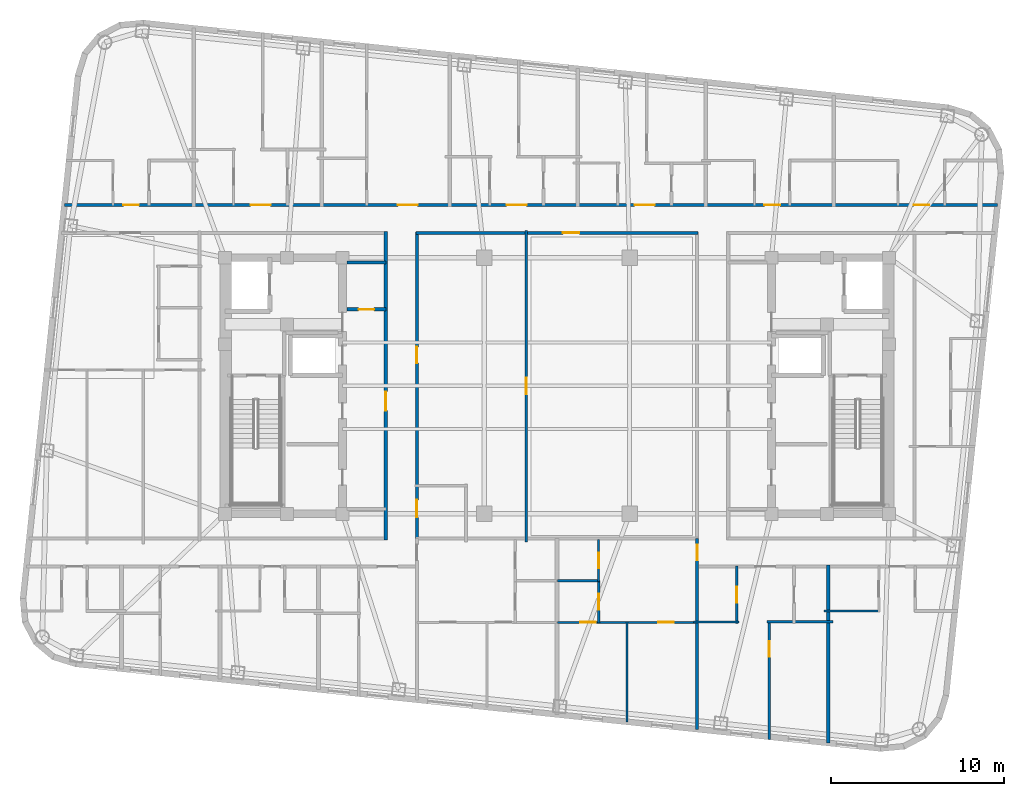
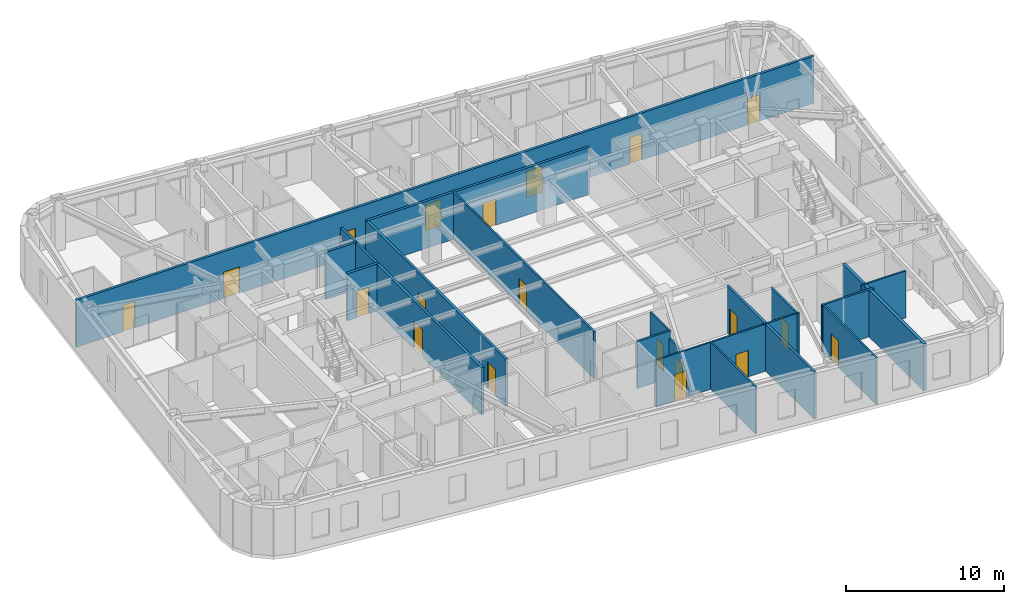
# One storey, part 5 of 11: 20 doors, 19 walls, 20 openings.
"""IFC4 building model written with IfcOpenShell, lengths in metres."""

from ifc_helpers import new_model, si_unit, direction, frame, frame_2d, origin, place, context, subcontext, project, spatial, rectangle, extrude, material, layer, layer_set, type_object, element, fill, save


model = new_model("IFC4")

# Units and contexts
model_context = context("Model", 3, precision=1e-05, world=origin(), true_north=direction((0.0, 1.0)))
body_context = subcontext(model_context, "Body", "Model", "MODEL_VIEW")
ifc_project = project(units=[si_unit("LENGTHUNIT", "METRE"), si_unit("AREAUNIT", "SQUARE_METRE"), si_unit("VOLUMEUNIT", "CUBIC_METRE"), si_unit("PLANEANGLEUNIT", "RADIAN"), si_unit("MASSUNIT", "GRAM", prefix="KILO")], contexts=[model_context])

# Site, building, storey
site_placement = place(None, origin())
site = spatial("IfcSite", under=ifc_project, at=site_placement, CompositionType="ELEMENT")
building_placement = place(site_placement, origin())
building = spatial("IfcBuilding", under=site, at=building_placement, Name="Voryun Gate Residences", CompositionType="ELEMENT")
storey_placement = place(building_placement, frame((0.0, 0.0, 302.89990234375)))
storey = spatial("IfcBuildingStorey", under=building, at=storey_placement, Name="L75", CompositionType="ELEMENT", Elevation=302.89990234375)

# Wall
ifc_material_1 = material(Name="Gypsum acoustic fireboard")
ifc_layer_1 = layer(ifc_material_1, 0.179931640625, Name="W_CORR_RATED_180")
ifc_layer_set_1 = layer_set([ifc_layer_1], Name="Gypsum acoustic fireboard")
wall_type_1 = type_object("IfcWallType", Name="W_CORR_RATED_180", PredefinedType="PARTITIONING", material=ifc_layer_set_1)
wall_1_placement = place(storey_placement, frame((-12.14990234375, 7.1201171875, 0.0), z_axis=(0.0, 0.0, 1.0), x_axis=(1.0, 0.0, 0.0)))
element("IfcWall", 1, at=wall_1_placement, inside=storey, type_object=wall_type_1, Name="Partition wall WP-L75-PLBN-W", PredefinedType="PARTITIONING", context=body_context, shape_type="SweptSolid", body=[
    extrude(rectangle(XDim=2.27001953125, YDim=0.179931640625, at=frame_2d((1.135009765625, 0.0))), origin(), (0.0, 0.0, 1.0), 3.635009765625),
])

# Wall, opening, door
wall_2_placement = place(storey_placement, frame((-9.89990234375, -8.929931640625, 0.0), z_axis=(0.0, 0.0, 1.0), x_axis=(0.0, 1.0, 0.0)))
wall_2 = element("IfcWall", 2, at=wall_2_placement, inside=storey, type_object=wall_type_1, Name="Partition wall WP-L75-PLBW-FULL", PredefinedType="PARTITIONING", context=body_context, shape_type="SweptSolid", body=[
    extrude(rectangle(XDim=17.85986328125, YDim=0.179931640625, at=frame_2d((8.929931640625, 0.0))), origin(), (0.0, 0.0, 1.0), 3.635009765625),
])
opening_1_placement = place(wall_2_placement, frame((7.487060546875, 0.0, 0.0)))
opening_1 = element("IfcOpeningElement", 3, at=opening_1_placement, cuts=wall_2, Name="Opening D-FD60-2", PredefinedType="OPENING", context=body_context, shape_type="SweptSolid", body=[
    extrude(rectangle(XDim=1.10009765625, YDim=2.050048828125, at=frame_2d((0.550048828125, 1.02490234375))), frame((0.0, 0.099853515625, 0.0), z_axis=(0.0, -1.0, 0.0), x_axis=(1.0, 0.0, 0.0)), (0.0, 0.0, 1.0), 0.199951171875),
])
ifc_material_2 = material(Name="Painted steel fire door", Category="steel")
door_type_1 = type_object("IfcDoorType", Name="DR_FD60_FFLOB_1100", OperationType="NOTDEFINED", PredefinedType="DOOR", material=ifc_material_2)
door_1_placement = place(opening_1_placement, origin())
door_1 = element("IfcDoor", 4, at=door_1_placement, inside=storey, type_object=door_type_1, Name="Door DR-L75-PLBW-COR", OperationType="SINGLE_SWING_LEFT", OverallHeight=2.050048828125, OverallWidth=1.10009765625, PredefinedType="DOOR", context=body_context, shape_type="SweptSolid", body=[
    extrude(rectangle(XDim=1.10009765625, YDim=2.050048828125, at=frame_2d((0.550048828125, 1.02490234375))), frame((0.0, 0.02490234375, 0.0), z_axis=(0.0, -1.0, 0.0), x_axis=(1.0, 0.0, 0.0)), (0.0, 0.0, 1.0), 0.050048828125),
])
fill(opening_1, door_1)

wall_3_placement = place(storey_placement, frame((-8.14990234375, 8.840087890625, 0.0), z_axis=(0.0, 0.0, 1.0), x_axis=(1.0, 0.0, 0.0)))
wall_3 = element("IfcWall", 5, at=wall_3_placement, inside=storey, type_object=wall_type_1, Name="Partition wall WP-L75-Z3N", PredefinedType="PARTITIONING", context=body_context, shape_type="SweptSolid", body=[
    extrude(rectangle(XDim=16.2998046875, YDim=0.179931640625, at=frame_2d((8.14990234375, 0.0))), origin(), (0.0, 0.0, 1.0), 3.635009765625),
])
opening_2_placement = place(wall_3_placement, frame((8.489990234375, 0.0, 0.0)))
opening_2 = element("IfcOpeningElement", 6, at=opening_2_placement, cuts=wall_3, Name="Opening D-INT-1", PredefinedType="OPENING", context=body_context, shape_type="SweptSolid", body=[
    extrude(rectangle(XDim=0.949951171875, YDim=2.050048828125, at=frame_2d((0.47509765625, 1.02490234375))), frame((0.0, 0.099853515625, 0.0), z_axis=(0.0, -1.0, 0.0), x_axis=(1.0, 0.0, 0.0)), (0.0, 0.0, 1.0), 0.199951171875),
])
ifc_material_3 = material(Name="Architectural oak veneer")
door_type_2 = type_object("IfcDoorType", Name="DR_INT_ROOM_950", OperationType="NOTDEFINED", PredefinedType="DOOR", material=ifc_material_3)
door_2_placement = place(opening_2_placement, origin())
door_2 = element("IfcDoor", 7, at=door_2_placement, inside=storey, type_object=door_type_2, Name="Door DR-L75-CMIDZ3N", OperationType="SINGLE_SWING_LEFT", OverallHeight=2.050048828125, OverallWidth=0.949951171875, PredefinedType="DOOR", context=body_context, shape_type="SweptSolid", body=[
    extrude(rectangle(XDim=0.949951171875, YDim=2.050048828125, at=frame_2d((0.47509765625, 1.02490234375))), frame((0.0, 0.02490234375, 0.0), z_axis=(0.0, -1.0, 0.0), x_axis=(1.0, 0.0, 0.0)), (0.0, 0.0, 1.0), 0.050048828125),
])
fill(opening_2, door_2)

# Wall, openings, doors
wall_4_placement = place(storey_placement, frame((-8.10009765625, -8.8798828125, 0.0), z_axis=(0.0, 0.0, 1.0), x_axis=(0.0, 1.0, 0.0)))
wall_4 = element("IfcWall", 8, at=wall_4_placement, inside=storey, type_object=wall_type_1, Name="Partition wall WP-L75-Z3W", PredefinedType="PARTITIONING", context=body_context, shape_type="SweptSolid", body=[
    extrude(rectangle(XDim=17.759765625, YDim=0.179931640625, at=frame_2d((8.8798828125, 0.0))), origin(), (0.0, 0.0, 1.0), 3.635009765625),
])
opening_3_placement = place(wall_4_placement, frame((1.27587890625, 0.0, 0.0)))
opening_3 = element("IfcOpeningElement", 9, at=opening_3_placement, cuts=wall_4, Name="Opening D-AWC-1", PredefinedType="OPENING", context=body_context, shape_type="SweptSolid", body=[
    extrude(rectangle(XDim=1.0, YDim=2.050048828125, at=frame_2d((0.5, 1.02490234375))), frame((0.0, 0.099853515625, 0.0), z_axis=(0.0, -1.0, 0.0), x_axis=(1.0, 0.0, 0.0)), (0.0, 0.0, 1.0), 0.199951171875),
])
opening_4_placement = place(wall_4_placement, frame((10.180908203125, 0.0, 0.0)))
opening_4 = element("IfcOpeningElement", 10, at=opening_4_placement, cuts=wall_4, Name="Opening D-INT-1", PredefinedType="OPENING", context=body_context, shape_type="SweptSolid", body=[
    extrude(rectangle(XDim=0.949951171875, YDim=2.050048828125, at=frame_2d((0.47509765625, 1.02490234375))), frame((0.0, 0.099853515625, 0.0), z_axis=(0.0, -1.0, 0.0), x_axis=(1.0, 0.0, 0.0)), (0.0, 0.0, 1.0), 0.199951171875),
])
ifc_material_4 = material(Name="Architectural oak veneer")
door_type_3 = type_object("IfcDoorType", Name="DR_ACC_WC_1000", OperationType="NOTDEFINED", PredefinedType="DOOR", material=ifc_material_4)
door_3_placement = place(opening_3_placement, origin())
door_3 = element("IfcDoor", 11, at=door_3_placement, inside=storey, type_object=door_type_3, Name="Door DR-L75-CMWC-D", OperationType="SINGLE_SWING_LEFT", OverallHeight=2.050048828125, OverallWidth=1.0, PredefinedType="DOOR", context=body_context, shape_type="SweptSolid", body=[
    extrude(rectangle(XDim=1.0, YDim=2.050048828125, at=frame_2d((0.5, 1.02490234375))), frame((0.0, 0.02490234375, 0.0), z_axis=(0.0, -1.0, 0.0), x_axis=(1.0, 0.0, 0.0)), (0.0, 0.0, 1.0), 0.050048828125),
])
fill(opening_3, door_3)
door_4_placement = place(opening_4_placement, origin())
door_4 = element("IfcDoor", 12, at=door_4_placement, inside=storey, type_object=door_type_2, Name="Door DR-L75-CMIDZ3W", OperationType="SINGLE_SWING_RIGHT", OverallHeight=2.050048828125, OverallWidth=0.949951171875, PredefinedType="DOOR", context=body_context, shape_type="SweptSolid", body=[
    extrude(rectangle(XDim=0.949951171875, YDim=2.050048828125, at=frame_2d((0.47509765625, 1.02490234375))), frame((0.0, 0.02490234375, 0.0), z_axis=(0.0, -1.0, 0.0), x_axis=(1.0, 0.0, 0.0)), (0.0, 0.0, 1.0), 0.050048828125),
])
fill(opening_4, door_4)

wall_5_placement = place(storey_placement, frame((-28.4794921875, 10.449951171875, 0.0), z_axis=(0.0, 0.0, 1.0), x_axis=(1.0, 0.0, 0.0)))
wall_5 = element("IfcWall", 13, at=wall_5_placement, inside=storey, type_object=wall_type_1, Name="Partition wall WP-L75-NCORR", PredefinedType="PARTITIONING", context=body_context, shape_type="SweptSolid", body=[
    extrude(rectangle(XDim=53.95556640625, YDim=0.179931640625, at=frame_2d((26.977783203125, 0.0))), origin(), (0.0, 0.0, 1.0), 3.635009765625),
])
opening_5_placement = place(wall_5_placement, frame((3.40771484375, 0.0, 0.0)))
opening_5 = element("IfcOpeningElement", 14, at=opening_5_placement, cuts=wall_5, Name="Opening D-INT-2", PredefinedType="OPENING", context=body_context, shape_type="SweptSolid", body=[
    extrude(rectangle(XDim=0.89990234375, YDim=2.050048828125, at=frame_2d((0.449951171875, 1.02490234375))), frame((0.0, 0.099853515625, 0.0), z_axis=(0.0, -1.0, 0.0), x_axis=(1.0, 0.0, 0.0)), (0.0, 0.0, 1.0), 0.199951171875),
])
opening_6_placement = place(wall_5_placement, frame((10.771728515625, 0.0, 0.0)))
opening_6 = element("IfcOpeningElement", 15, at=opening_6_placement, cuts=wall_5, Name="Opening D-UNIT-1", PredefinedType="OPENING", context=body_context, shape_type="SweptSolid", body=[
    extrude(rectangle(XDim=1.14990234375, YDim=2.050048828125, at=frame_2d((0.574951171875, 1.02490234375))), frame((0.0, 0.099853515625, 0.0), z_axis=(0.0, -1.0, 0.0), x_axis=(1.0, 0.0, 0.0)), (0.0, 0.0, 1.0), 0.199951171875),
])
opening_7_placement = place(wall_5_placement, frame((19.280517578125, 0.0, 0.0)))
opening_7 = element("IfcOpeningElement", 16, at=opening_7_placement, cuts=wall_5, Name="Opening D-UNIT-1", PredefinedType="OPENING", context=body_context, shape_type="SweptSolid", body=[
    extrude(rectangle(XDim=1.14990234375, YDim=2.050048828125, at=frame_2d((0.574951171875, 1.02490234375))), frame((0.0, 0.099853515625, 0.0), z_axis=(0.0, -1.0, 0.0), x_axis=(1.0, 0.0, 0.0)), (0.0, 0.0, 1.0), 0.199951171875),
])
opening_8_placement = place(wall_5_placement, frame((25.57177734375, 0.0, 0.0)))
opening_8 = element("IfcOpeningElement", 17, at=opening_8_placement, cuts=wall_5, Name="Opening D-UNIT-1", PredefinedType="OPENING", context=body_context, shape_type="SweptSolid", body=[
    extrude(rectangle(XDim=1.14990234375, YDim=2.050048828125, at=frame_2d((0.574951171875, 1.02490234375))), frame((0.0, 0.099853515625, 0.0), z_axis=(0.0, -1.0, 0.0), x_axis=(1.0, 0.0, 0.0)), (0.0, 0.0, 1.0), 0.199951171875),
])
opening_9_placement = place(wall_5_placement, frame((32.968994140625, 0.0, 0.0)))
opening_9 = element("IfcOpeningElement", 18, at=opening_9_placement, cuts=wall_5, Name="Opening D-UNIT-1", PredefinedType="OPENING", context=body_context, shape_type="SweptSolid", body=[
    extrude(rectangle(XDim=1.14990234375, YDim=2.050048828125, at=frame_2d((0.574951171875, 1.02490234375))), frame((0.0, 0.099853515625, 0.0), z_axis=(0.0, -1.0, 0.0), x_axis=(1.0, 0.0, 0.0)), (0.0, 0.0, 1.0), 0.199951171875),
])
opening_10_placement = place(wall_5_placement, frame((40.47509765625, 0.0, 0.0)))
opening_10 = element("IfcOpeningElement", 19, at=opening_10_placement, cuts=wall_5, Name="Opening D-INT-2", PredefinedType="OPENING", context=body_context, shape_type="SweptSolid", body=[
    extrude(rectangle(XDim=0.89990234375, YDim=2.050048828125, at=frame_2d((0.449951171875, 1.02490234375))), frame((0.0, 0.099853515625, 0.0), z_axis=(0.0, -1.0, 0.0), x_axis=(1.0, 0.0, 0.0)), (0.0, 0.0, 1.0), 0.199951171875),
])
opening_11_placement = place(wall_5_placement, frame((49.091796875, 0.0, 0.0)))
opening_11 = element("IfcOpeningElement", 20, at=opening_11_placement, cuts=wall_5, Name="Opening D-INT-2", PredefinedType="OPENING", context=body_context, shape_type="SweptSolid", body=[
    extrude(rectangle(XDim=0.89990234375, YDim=2.050048828125, at=frame_2d((0.449951171875, 1.02490234375))), frame((0.0, 0.099853515625, 0.0), z_axis=(0.0, -1.0, 0.0), x_axis=(1.0, 0.0, 0.0)), (0.0, 0.0, 1.0), 0.199951171875),
])
ifc_material_5 = material(Name="Architectural oak veneer")
door_type_4 = type_object("IfcDoorType", Name="DR_INT_BATH_900", OperationType="NOTDEFINED", PredefinedType="DOOR", material=ifc_material_5)
door_5_placement = place(opening_5_placement, origin())
door_5 = element("IfcDoor", 21, at=door_5_placement, inside=storey, type_object=door_type_4, Name="Door DR-L75-NENT-1", OperationType="SINGLE_SWING_LEFT", OverallHeight=2.050048828125, OverallWidth=0.89990234375, PredefinedType="DOOR", context=body_context, shape_type="SweptSolid", body=[
    extrude(rectangle(XDim=0.89990234375, YDim=2.050048828125, at=frame_2d((0.449951171875, 1.02490234375))), frame((0.0, 0.02490234375, 0.0), z_axis=(0.0, -1.0, 0.0), x_axis=(1.0, 0.0, 0.0)), (0.0, 0.0, 1.0), 0.050048828125),
])
fill(opening_5, door_5)
door_6_placement = place(opening_10_placement, origin())
door_6 = element("IfcDoor", 22, at=door_6_placement, inside=storey, type_object=door_type_4, Name="Door DR-L75-NENT-6", OperationType="SINGLE_SWING_RIGHT", OverallHeight=2.050048828125, OverallWidth=0.89990234375, PredefinedType="DOOR", context=body_context, shape_type="SweptSolid", body=[
    extrude(rectangle(XDim=0.89990234375, YDim=2.050048828125, at=frame_2d((0.449951171875, 1.02490234375))), frame((0.0, 0.02490234375, 0.0), z_axis=(0.0, -1.0, 0.0), x_axis=(1.0, 0.0, 0.0)), (0.0, 0.0, 1.0), 0.050048828125),
])
fill(opening_10, door_6)
door_7_placement = place(opening_11_placement, origin())
door_7 = element("IfcDoor", 23, at=door_7_placement, inside=storey, type_object=door_type_4, Name="Door DR-L75-NENT-7", OperationType="SINGLE_SWING_LEFT", OverallHeight=2.050048828125, OverallWidth=0.89990234375, PredefinedType="DOOR", context=body_context, shape_type="SweptSolid", body=[
    extrude(rectangle(XDim=0.89990234375, YDim=2.050048828125, at=frame_2d((0.449951171875, 1.02490234375))), frame((0.0, 0.02490234375, 0.0), z_axis=(0.0, -1.0, 0.0), x_axis=(1.0, 0.0, 0.0)), (0.0, 0.0, 1.0), 0.050048828125),
])
fill(opening_11, door_7)
ifc_material_6 = material(Name="Armoured timber-clad fire door", Category="wood")
door_type_5 = type_object("IfcDoorType", Name="DR_UNIT_ENTRY_1150", OperationType="NOTDEFINED", PredefinedType="DOOR", material=ifc_material_6)
door_8_placement = place(opening_6_placement, origin())
door_8 = element("IfcDoor", 24, at=door_8_placement, inside=storey, type_object=door_type_5, Name="Door DR-L75-NENT-2", OperationType="SINGLE_SWING_RIGHT", OverallHeight=2.050048828125, OverallWidth=1.14990234375, PredefinedType="DOOR", context=body_context, shape_type="SweptSolid", body=[
    extrude(rectangle(XDim=1.14990234375, YDim=2.050048828125, at=frame_2d((0.574951171875, 1.02490234375))), frame((0.0, 0.02490234375, 0.0), z_axis=(0.0, -1.0, 0.0), x_axis=(1.0, 0.0, 0.0)), (0.0, 0.0, 1.0), 0.050048828125),
])
fill(opening_6, door_8)
door_9_placement = place(opening_7_placement, origin())
door_9 = element("IfcDoor", 25, at=door_9_placement, inside=storey, type_object=door_type_5, Name="Door DR-L75-NENT-3", OperationType="SINGLE_SWING_LEFT", OverallHeight=2.050048828125, OverallWidth=1.14990234375, PredefinedType="DOOR", context=body_context, shape_type="SweptSolid", body=[
    extrude(rectangle(XDim=1.14990234375, YDim=2.050048828125, at=frame_2d((0.574951171875, 1.02490234375))), frame((0.0, 0.02490234375, 0.0), z_axis=(0.0, -1.0, 0.0), x_axis=(1.0, 0.0, 0.0)), (0.0, 0.0, 1.0), 0.050048828125),
])
fill(opening_7, door_9)
door_10_placement = place(opening_8_placement, origin())
door_10 = element("IfcDoor", 26, at=door_10_placement, inside=storey, type_object=door_type_5, Name="Door DR-L75-NENT-4", OperationType="SINGLE_SWING_RIGHT", OverallHeight=2.050048828125, OverallWidth=1.14990234375, PredefinedType="DOOR", context=body_context, shape_type="SweptSolid", body=[
    extrude(rectangle(XDim=1.14990234375, YDim=2.050048828125, at=frame_2d((0.574951171875, 1.02490234375))), frame((0.0, 0.02490234375, 0.0), z_axis=(0.0, -1.0, 0.0), x_axis=(1.0, 0.0, 0.0)), (0.0, 0.0, 1.0), 0.050048828125),
])
fill(opening_8, door_10)
door_11_placement = place(opening_9_placement, origin())
door_11 = element("IfcDoor", 27, at=door_11_placement, inside=storey, type_object=door_type_5, Name="Door DR-L75-NENT-5", OperationType="SINGLE_SWING_LEFT", OverallHeight=2.050048828125, OverallWidth=1.14990234375, PredefinedType="DOOR", context=body_context, shape_type="SweptSolid", body=[
    extrude(rectangle(XDim=1.14990234375, YDim=2.050048828125, at=frame_2d((0.574951171875, 1.02490234375))), frame((0.0, 0.02490234375, 0.0), z_axis=(0.0, -1.0, 0.0), x_axis=(1.0, 0.0, 0.0)), (0.0, 0.0, 1.0), 0.050048828125),
])
fill(opening_9, door_11)

# Wall, opening, door
wall_6_placement = place(storey_placement, frame((8.10009765625, -19.857177734375, 0.0), z_axis=(0.0, 0.0, 1.0), x_axis=(0.0, 1.0, 0.0)))
wall_6 = element("IfcWall", 28, at=wall_6_placement, inside=storey, type_object=wall_type_1, Name="Partition wall WP-L75-SZV-2", PredefinedType="PARTITIONING", context=body_context, shape_type="SweptSolid", body=[
    extrude(rectangle(XDim=11.01708984375, YDim=0.179931640625, at=frame_2d((5.508544921875, 0.0))), origin(), (0.0, 0.0, 1.0), 3.635009765625),
])
opening_12_placement = place(wall_6_placement, frame((9.767333984375, 0.0, 0.0)))
opening_12 = element("IfcOpeningElement", 29, at=opening_12_placement, cuts=wall_6, Name="Opening D-INT-2", PredefinedType="OPENING", context=body_context, shape_type="SweptSolid", body=[
    extrude(rectangle(XDim=0.89990234375, YDim=2.050048828125, at=frame_2d((0.449951171875, 1.02490234375))), frame((0.0, 0.099853515625, 0.0), z_axis=(0.0, -1.0, 0.0), x_axis=(1.0, 0.0, 0.0)), (0.0, 0.0, 1.0), 0.199951171875),
])
door_12_placement = place(opening_12_placement, origin())
door_12 = element("IfcDoor", 30, at=door_12_placement, inside=storey, type_object=door_type_4, Name="Door DR-L75-SZENT-2", OperationType="SINGLE_SWING_RIGHT", OverallHeight=2.050048828125, OverallWidth=0.89990234375, PredefinedType="DOOR", context=body_context, shape_type="SweptSolid", body=[
    extrude(rectangle(XDim=0.89990234375, YDim=2.050048828125, at=frame_2d((0.449951171875, 1.02490234375))), frame((0.0, 0.02490234375, 0.0), z_axis=(0.0, -1.0, 0.0), x_axis=(1.0, 0.0, 0.0)), (0.0, 0.0, 1.0), 0.050048828125),
])
fill(opening_12, door_12)

ifc_material_7 = material(Name="Concrete C40/50", Category="concrete")
ifc_layer_2 = layer(ifc_material_7, 0.199951171875, Name="W_FF_LOBBY_200")
ifc_layer_set_2 = layer_set([ifc_layer_2], Name="Concrete C40/50")
wall_type_2 = type_object("IfcWallType", Name="W_FF_LOBBY_200", PredefinedType="PARTITIONING", material=ifc_layer_set_2)
wall_7_placement = place(storey_placement, frame((-12.14990234375, 4.409912109375, 0.0), z_axis=(0.0, 0.0, 1.0), x_axis=(1.0, 0.0, 0.0)))
wall_7 = element("IfcWall", 31, at=wall_7_placement, inside=storey, type_object=wall_type_2, Name="Partition wall WP-L75-CSFLKS-W", PredefinedType="PARTITIONING", context=body_context, shape_type="SweptSolid", body=[
    extrude(rectangle(XDim=2.27001953125, YDim=0.199951171875, at=frame_2d((1.135009765625, 0.0))), origin(), (0.0, 0.0, 1.0), 3.635009765625),
])
opening_13_placement = place(wall_7_placement, frame((0.68505859375, 0.0, 0.0)))
opening_13 = element("IfcOpeningElement", 32, at=opening_13_placement, cuts=wall_7, Name="Opening D-FD60-4", PredefinedType="OPENING", context=body_context, shape_type="SweptSolid", body=[
    extrude(rectangle(XDim=0.89990234375, YDim=2.050048828125, at=frame_2d((0.449951171875, 1.02490234375))), frame((0.0, 0.110107421875, 0.0), z_axis=(0.0, -1.0, 0.0), x_axis=(1.0, 0.0, 0.0)), (0.0, 0.0, 1.0), 0.219970703125),
])
ifc_material_8 = material(Name="Painted steel fire door", Category="steel")
door_type_6 = type_object("IfcDoorType", Name="DR_FD60_RISER_900", OperationType="NOTDEFINED", PredefinedType="DOOR", material=ifc_material_8)
door_13_placement = place(opening_13_placement, origin())
door_13 = element("IfcDoor", 33, at=door_13_placement, inside=storey, type_object=door_type_6, Name="Door DR-L75-CSFLK-W", OperationType="SINGLE_SWING_LEFT", OverallHeight=2.050048828125, OverallWidth=0.89990234375, PredefinedType="DOOR", context=body_context, shape_type="SweptSolid", body=[
    extrude(rectangle(XDim=0.89990234375, YDim=2.050048828125, at=frame_2d((0.449951171875, 1.02490234375))), frame((0.0, 0.02490234375, 0.0), z_axis=(0.0, -1.0, 0.0), x_axis=(1.0, 0.0, 0.0)), (0.0, 0.0, 1.0), 0.050048828125),
])
fill(opening_13, door_13)

# Wall
ifc_material_9 = material(Name="Concrete C40/50", Category="concrete")
ifc_layer_3 = layer(ifc_material_9, 0.219970703125, Name="W_PARTY_ACOUSTIC_220")
ifc_layer_set_3 = layer_set([ifc_layer_3], Name="Concrete C40/50")
wall_type_3 = type_object("IfcWallType", Name="W_PARTY_ACOUSTIC_220", PredefinedType="PARTITIONING", material=ifc_layer_set_3)
wall_8_placement = place(storey_placement, frame((15.681884765625, -20.654052734375, 0.0), z_axis=(0.0, 0.0, 1.0), x_axis=(0.0, 1.0, 0.0)))
element("IfcWall", 34, at=wall_8_placement, inside=storey, type_object=wall_type_3, Name="Partition wall WP-L75-SPTY-6", PredefinedType="PARTITIONING", context=body_context, shape_type="SweptSolid", body=[
    extrude(rectangle(XDim=10.283935546875, YDim=0.219970703125, at=frame_2d((5.14208984375, 0.0))), origin(), (0.0, 0.0, 1.0), 3.635009765625),
])

# Wall, opening, door
ifc_material_10 = material(Name="Gypsum acoustic partition")
ifc_layer_4 = layer(ifc_material_10, 0.125, Name="W_UNIT_PART_125")
ifc_layer_set_4 = layer_set([ifc_layer_4], Name="Gypsum acoustic partition")
wall_type_4 = type_object("IfcWallType", Name="W_UNIT_PART_125", PredefinedType="PARTITIONING", material=ifc_layer_set_4)
wall_9_placement = place(storey_placement, frame((-1.77294921875, -9.02001953125, 0.0), z_axis=(0.0, 0.0, 1.0), x_axis=(0.0, 1.0, 0.0)))
wall_9 = element("IfcWall", 35, at=wall_9_placement, inside=storey, type_object=wall_type_4, Name="Partition wall WP-L75-MIDX-0", PredefinedType="PARTITIONING", context=body_context, shape_type="SweptSolid", body=[
    extrude(rectangle(XDim=17.989990234375, YDim=0.125, at=frame_2d((8.9951171875, 0.0))), origin(), (0.0, 0.0, 1.0), 3.635009765625),
])
opening_14_placement = place(wall_9_placement, frame((8.52001953125, 0.0, 0.0)))
opening_14 = element("IfcOpeningElement", 36, at=opening_14_placement, cuts=wall_9, Name="Opening D-INT-1", PredefinedType="OPENING", context=body_context, shape_type="SweptSolid", body=[
    extrude(rectangle(XDim=0.949951171875, YDim=2.050048828125, at=frame_2d((0.47509765625, 1.02490234375))), frame((0.0, 0.072509765625, 0.0), z_axis=(0.0, -1.0, 0.0), x_axis=(1.0, 0.0, 0.0)), (0.0, 0.0, 1.0), 0.14501953125),
])
door_14_placement = place(opening_14_placement, origin())
door_14 = element("IfcDoor", 37, at=door_14_placement, inside=storey, type_object=door_type_2, Name="Door DR-L75-MIDX-0", OperationType="SINGLE_SWING_LEFT", OverallHeight=2.050048828125, OverallWidth=0.949951171875, PredefinedType="DOOR", context=body_context, shape_type="SweptSolid", body=[
    extrude(rectangle(XDim=0.949951171875, YDim=2.050048828125, at=frame_2d((0.47509765625, 1.02490234375))), frame((0.0, 0.02490234375, 0.0), z_axis=(0.0, -1.0, 0.0), x_axis=(1.0, 0.0, 0.0)), (0.0, 0.0, 1.0), 0.050048828125),
])
fill(opening_14, door_14)

wall_10_placement = place(storey_placement, frame((12.27197265625, -20.446533203125, 0.0), z_axis=(0.0, 0.0, 1.0), x_axis=(0.0, 1.0, 0.0)))
wall_10 = element("IfcWall", 38, at=wall_10_placement, inside=storey, type_object=wall_type_4, Name="Partition wall WP-L75-S6-OVR", PredefinedType="PARTITIONING", context=body_context, shape_type="SweptSolid", body=[
    extrude(rectangle(XDim=6.87353515625, YDim=0.125, at=frame_2d((3.436767578125, 0.0))), origin(), (0.0, 0.0, 1.0), 3.635009765625),
])
opening_15_placement = place(wall_10_placement, frame((4.77392578125, 0.0, 0.0)))
opening_15 = element("IfcOpeningElement", 39, at=opening_15_placement, cuts=wall_10, Name="Opening D-INT-2", PredefinedType="OPENING", context=body_context, shape_type="SweptSolid", body=[
    extrude(rectangle(XDim=0.89990234375, YDim=2.050048828125, at=frame_2d((0.449951171875, 1.02490234375))), frame((0.0, 0.072509765625, 0.0), z_axis=(0.0, -1.0, 0.0), x_axis=(1.0, 0.0, 0.0)), (0.0, 0.0, 1.0), 0.14501953125),
])
door_15_placement = place(opening_15_placement, origin())
door_15 = element("IfcDoor", 40, at=door_15_placement, inside=storey, type_object=door_type_4, Name="Door DR-L75-S6-DMB", OperationType="SINGLE_SWING_RIGHT", OverallHeight=2.050048828125, OverallWidth=0.89990234375, PredefinedType="DOOR", context=body_context, shape_type="SweptSolid", body=[
    extrude(rectangle(XDim=0.89990234375, YDim=2.050048828125, at=frame_2d((0.449951171875, 1.02490234375))), frame((0.0, 0.02490234375, 0.0), z_axis=(0.0, -1.0, 0.0), x_axis=(1.0, 0.0, 0.0)), (0.0, 0.0, 1.0), 0.050048828125),
])
fill(opening_15, door_15)

wall_11_placement = place(storey_placement, frame((10.389892578125, -13.73291015625, 0.0), z_axis=(0.0, 0.0, 1.0), x_axis=(0.0, 1.0, 0.0)))
wall_11 = element("IfcWall", 41, at=wall_11_placement, inside=storey, type_object=wall_type_4, Name="Partition wall WP-L75-S6-IVK", PredefinedType="PARTITIONING", context=body_context, shape_type="SweptSolid", body=[
    extrude(rectangle(XDim=3.302978515625, YDim=0.125, at=frame_2d((1.6513671875, 0.0))), origin(), (0.0, 0.0, 1.0), 3.635009765625),
])
opening_16_placement = place(wall_11_placement, frame((1.176513671875, 0.0, 0.0)))
opening_16 = element("IfcOpeningElement", 42, at=opening_16_placement, cuts=wall_11, Name="Opening D-INT-1", PredefinedType="OPENING", context=body_context, shape_type="SweptSolid", body=[
    extrude(rectangle(XDim=0.949951171875, YDim=2.050048828125, at=frame_2d((0.47509765625, 1.02490234375))), frame((0.0, 0.072509765625, 0.0), z_axis=(0.0, -1.0, 0.0), x_axis=(1.0, 0.0, 0.0)), (0.0, 0.0, 1.0), 0.14501953125),
])
door_16_placement = place(opening_16_placement, origin())
door_16 = element("IfcDoor", 43, at=door_16_placement, inside=storey, type_object=door_type_2, Name="Door DR-L75-S6-DK", OperationType="SINGLE_SWING_LEFT", OverallHeight=2.050048828125, OverallWidth=0.949951171875, PredefinedType="DOOR", context=body_context, shape_type="SweptSolid", body=[
    extrude(rectangle(XDim=0.949951171875, YDim=2.050048828125, at=frame_2d((0.47509765625, 1.02490234375))), frame((0.0, 0.02490234375, 0.0), z_axis=(0.0, -1.0, 0.0), x_axis=(1.0, 0.0, 0.0)), (0.0, 0.0, 1.0), 0.050048828125),
])
fill(opening_16, door_16)

# Walls
wall_12_placement = place(storey_placement, frame((7.887451171875, -13.653076171875, 0.0), z_axis=(0.0, 0.0, 1.0), x_axis=(1.0, 0.0, 0.0)))
element("IfcWall", 44, at=wall_12_placement, inside=storey, type_object=wall_type_4, Name="Partition wall WP-L75-S6-HZK", PredefinedType="PARTITIONING", context=body_context, shape_type="SweptSolid", body=[
    extrude(rectangle(XDim=2.62255859375, YDim=0.125, at=frame_2d((1.311279296875, 0.0))), origin(), (0.0, 0.0, 1.0), 3.635009765625),
])
wall_13_placement = place(storey_placement, frame((15.422119140625, -13.02001953125, 0.0), z_axis=(0.0, 0.0, 1.0), x_axis=(1.0, 0.0, 0.0)))
element("IfcWall", 45, at=wall_13_placement, inside=storey, type_object=wall_type_4, Name="Partition wall WP-L75-S7-CHK", PredefinedType="PARTITIONING", context=body_context, shape_type="SweptSolid", body=[
    extrude(rectangle(XDim=3.245849609375, YDim=0.125, at=frame_2d((1.623046875, 0.0))), origin(), (0.0, 0.0, 1.0), 3.635009765625),
])

# Wall, openings, doors
wall_14_placement = place(storey_placement, frame((0.02001953125, -13.679931640625, 0.0), z_axis=(0.0, 0.0, 1.0), x_axis=(1.0, 0.0, 0.0)))
wall_14 = element("IfcWall", 46, at=wall_14_placement, inside=storey, type_object=wall_type_4, Name="Partition wall WP-L75-SC2-HZ", PredefinedType="PARTITIONING", context=body_context, shape_type="SweptSolid", body=[
    extrude(rectangle(XDim=7.992431640625, YDim=0.125, at=frame_2d((3.99609375, 0.0))), origin(), (0.0, 0.0, 1.0), 3.635009765625),
])
opening_17_placement = place(wall_14_placement, frame((1.3232421875, 0.0, 0.0)))
opening_17 = element("IfcOpeningElement", 47, at=opening_17_placement, cuts=wall_14, Name="Opening D-INT-2", PredefinedType="OPENING", context=body_context, shape_type="SweptSolid", body=[
    extrude(rectangle(XDim=0.89990234375, YDim=2.050048828125, at=frame_2d((0.449951171875, 1.02490234375))), frame((0.0, 0.072509765625, 0.0), z_axis=(0.0, -1.0, 0.0), x_axis=(1.0, 0.0, 0.0)), (0.0, 0.0, 1.0), 0.14501953125),
])
opening_18_placement = place(wall_14_placement, frame((5.8369140625, 0.0, 0.0)))
opening_18 = element("IfcOpeningElement", 48, at=opening_18_placement, cuts=wall_14, Name="Opening D-INT-2", PredefinedType="OPENING", context=body_context, shape_type="SweptSolid", body=[
    extrude(rectangle(XDim=0.89990234375, YDim=2.050048828125, at=frame_2d((0.449951171875, 1.02490234375))), frame((0.0, 0.072509765625, 0.0), z_axis=(0.0, -1.0, 0.0), x_axis=(1.0, 0.0, 0.0)), (0.0, 0.0, 1.0), 0.14501953125),
])
door_17_placement = place(opening_17_placement, origin())
door_17 = element("IfcDoor", 49, at=door_17_placement, inside=storey, type_object=door_type_4, Name="Door DR-L75-SC2-DMB", OperationType="SINGLE_SWING_LEFT", OverallHeight=2.050048828125, OverallWidth=0.89990234375, PredefinedType="DOOR", context=body_context, shape_type="SweptSolid", body=[
    extrude(rectangle(XDim=0.89990234375, YDim=2.050048828125, at=frame_2d((0.449951171875, 1.02490234375))), frame((0.0, 0.02490234375, 0.0), z_axis=(0.0, -1.0, 0.0), x_axis=(1.0, 0.0, 0.0)), (0.0, 0.0, 1.0), 0.050048828125),
])
fill(opening_17, door_17)
door_18_placement = place(opening_18_placement, origin())
door_18 = element("IfcDoor", 50, at=door_18_placement, inside=storey, type_object=door_type_4, Name="Door DR-L75-SC2-DBD2", OperationType="SINGLE_SWING_RIGHT", OverallHeight=2.050048828125, OverallWidth=0.89990234375, PredefinedType="DOOR", context=body_context, shape_type="SweptSolid", body=[
    extrude(rectangle(XDim=0.89990234375, YDim=2.050048828125, at=frame_2d((0.449951171875, 1.02490234375))), frame((0.0, 0.02490234375, 0.0), z_axis=(0.0, -1.0, 0.0), x_axis=(1.0, 0.0, 0.0)), (0.0, 0.0, 1.0), 0.050048828125),
])
fill(opening_18, door_18)

# Wall, opening, door
wall_15_placement = place(storey_placement, frame((2.409912109375, -11.31005859375, 0.0), z_axis=(0.0, 0.0, 1.0), x_axis=(0.0, 1.0, 0.0)))
wall_15 = element("IfcWall", 51, at=wall_15_placement, inside=storey, type_object=wall_type_4, Name="Partition wall WP-L75-SC2-VK1", PredefinedType="PARTITIONING", context=body_context, shape_type="SweptSolid", body=[
    extrude(rectangle(XDim=2.41015625, YDim=0.125, at=frame_2d((1.205078125, 0.0))), origin(), (0.0, 0.0, 1.0), 3.635009765625),
])
opening_19_placement = place(wall_15_placement, frame((0.7548828125, 0.0, 0.0)))
opening_19 = element("IfcOpeningElement", 52, at=opening_19_placement, cuts=wall_15, Name="Opening D-INT-2", PredefinedType="OPENING", context=body_context, shape_type="SweptSolid", body=[
    extrude(rectangle(XDim=0.89990234375, YDim=2.050048828125, at=frame_2d((0.449951171875, 1.02490234375))), frame((0.0, 0.072509765625, 0.0), z_axis=(0.0, -1.0, 0.0), x_axis=(1.0, 0.0, 0.0)), (0.0, 0.0, 1.0), 0.14501953125),
])
door_19_placement = place(opening_19_placement, origin())
door_19 = element("IfcDoor", 53, at=door_19_placement, inside=storey, type_object=door_type_4, Name="Door DR-L75-SC2-DK", OperationType="SINGLE_SWING_LEFT", OverallHeight=2.050048828125, OverallWidth=0.89990234375, PredefinedType="DOOR", context=body_context, shape_type="SweptSolid", body=[
    extrude(rectangle(XDim=0.89990234375, YDim=2.050048828125, at=frame_2d((0.449951171875, 1.02490234375))), frame((0.0, 0.02490234375, 0.0), z_axis=(0.0, -1.0, 0.0), x_axis=(1.0, 0.0, 0.0)), (0.0, 0.0, 1.0), 0.050048828125),
])
fill(opening_19, door_19)

# Walls
wall_16_placement = place(storey_placement, frame((4.050048828125, -19.431640625, 0.0), z_axis=(0.0, 0.0, 1.0), x_axis=(0.0, 1.0, 0.0)))
element("IfcWall", 54, at=wall_16_placement, inside=storey, type_object=wall_type_4, Name="Partition wall WP-L75-SC2-VBD", PredefinedType="PARTITIONING", context=body_context, shape_type="SweptSolid", body=[
    extrude(rectangle(XDim=5.791748046875, YDim=0.125, at=frame_2d((2.89599609375, 0.0))), origin(), (0.0, 0.0, 1.0), 3.635009765625),
])
ifc_material_11 = material(Name="Gypsum moisture-resistant partition")
ifc_layer_5 = layer(ifc_material_11, 0.14990234375, Name="W_WET_PLUMB_150")
ifc_layer_set_5 = layer_set([ifc_layer_5], Name="Gypsum moisture-resistant partition")
wall_type_5 = type_object("IfcWallType", Name="W_WET_PLUMB_150", PredefinedType="PLUMBINGWALL", material=ifc_layer_set_5)
wall_17_placement = place(storey_placement, frame((12.152099609375, -13.653076171875, 0.0), z_axis=(0.0, 0.0, 1.0), x_axis=(1.0, 0.0, 0.0)))
element("IfcWall", 55, at=wall_17_placement, inside=storey, type_object=wall_type_5, Name="Partition wall WP-L75-S6-HZB", PredefinedType="PLUMBINGWALL", context=body_context, shape_type="SweptSolid", body=[
    extrude(rectangle(XDim=3.789794921875, YDim=0.14990234375, at=frame_2d((1.89501953125, 0.0))), origin(), (0.0, 0.0, 1.0), 3.635009765625),
])

# Wall, opening, door
wall_18_placement = place(storey_placement, frame((2.409912109375, -13.719970703125, 0.0), z_axis=(0.0, 0.0, 1.0), x_axis=(0.0, 1.0, 0.0)))
wall_18 = element("IfcWall", 56, at=wall_18_placement, inside=storey, type_object=wall_type_5, Name="Partition wall WP-L75-SC2-VK2", PredefinedType="PLUMBINGWALL", context=body_context, shape_type="SweptSolid", body=[
    extrude(rectangle(XDim=2.469970703125, YDim=0.14990234375, at=frame_2d((1.23486328125, 0.0))), origin(), (0.0, 0.0, 1.0), 3.0751953125),
])
opening_20_placement = place(wall_18_placement, frame((0.784912109375, 0.0, 0.0)))
opening_20 = element("IfcOpeningElement", 57, at=opening_20_placement, cuts=wall_18, Name="Opening D-INT-2", PredefinedType="OPENING", context=body_context, shape_type="SweptSolid", body=[
    extrude(rectangle(XDim=0.89990234375, YDim=2.050048828125, at=frame_2d((0.449951171875, 1.02490234375))), frame((0.0, 0.0849609375, 0.0), z_axis=(0.0, -1.0, 0.0), x_axis=(1.0, 0.0, 0.0)), (0.0, 0.0, 1.0), 0.169921875),
])
door_20_placement = place(opening_20_placement, origin())
door_20 = element("IfcDoor", 58, at=door_20_placement, inside=storey, type_object=door_type_4, Name="Door DR-L75-SC2-DB", OperationType="SINGLE_SWING_RIGHT", OverallHeight=2.050048828125, OverallWidth=0.89990234375, PredefinedType="DOOR", context=body_context, shape_type="SweptSolid", body=[
    extrude(rectangle(XDim=0.89990234375, YDim=2.050048828125, at=frame_2d((0.449951171875, 1.02490234375))), frame((0.0, 0.02490234375, 0.0), z_axis=(0.0, -1.0, 0.0), x_axis=(1.0, 0.0, 0.0)), (0.0, 0.0, 1.0), 0.050048828125),
])
fill(opening_20, door_20)

# Wall
wall_19_placement = place(storey_placement, frame((0.02001953125, -11.280029296875, 0.0), z_axis=(0.0, 0.0, 1.0), x_axis=(1.0, 0.0, 0.0)))
element("IfcWall", 59, at=wall_19_placement, inside=storey, type_object=wall_type_5, Name="Partition wall WP-L75-SC2-HKB", PredefinedType="PLUMBINGWALL", context=body_context, shape_type="SweptSolid", body=[
    extrude(rectangle(XDim=2.429931640625, YDim=0.14990234375, at=frame_2d((1.21484375, 0.0))), origin(), (0.0, 0.0, 1.0), 3.635009765625),
])

save(model, "model.ifc")
